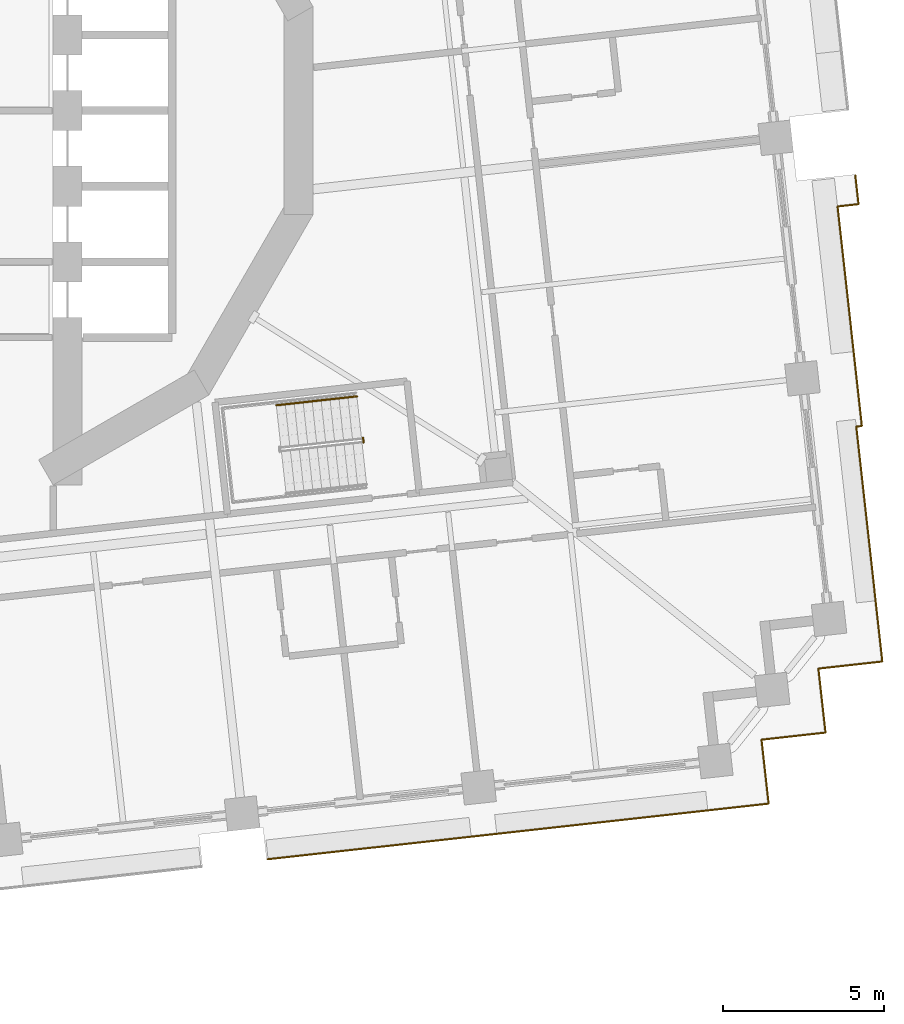
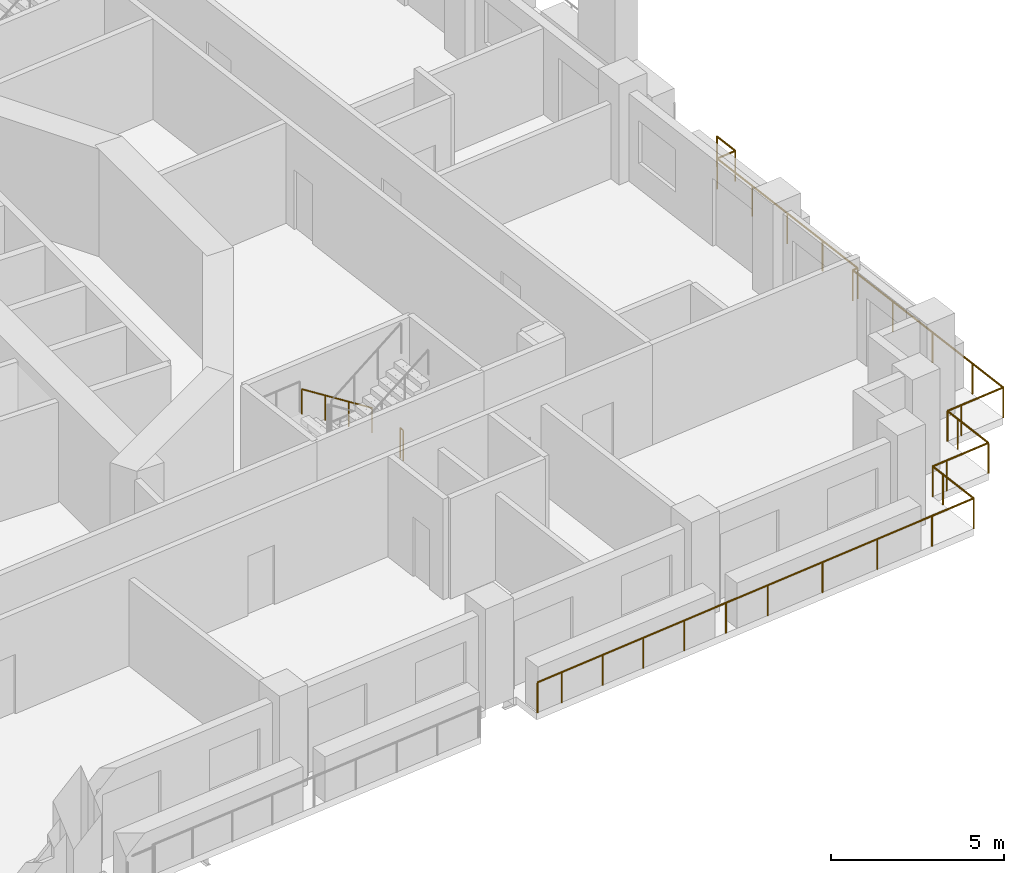
# One storey, part 17 of 21: 4 railings.
"""IFC4 building model written with IfcOpenShell, lengths in metres."""

from ifc_helpers import new_model, si_unit, direction, frame, origin, origin_2d, place, context, subcontext, project, spatial, circle, extrude, material, type_object, element, save


model = new_model("IFC4")

# Units and contexts
model_context = context("Model", 3, precision=1e-05, world=origin(), true_north=direction((0.0, 1.0)))
body_context = subcontext(model_context, "Body", "Model", "MODEL_VIEW")
ifc_project = project(units=[si_unit("LENGTHUNIT", "METRE"), si_unit("AREAUNIT", "SQUARE_METRE"), si_unit("VOLUMEUNIT", "CUBIC_METRE"), si_unit("PLANEANGLEUNIT", "RADIAN"), si_unit("MASSUNIT", "GRAM", prefix="KILO")], contexts=[model_context])

# Site, building, storey
site_placement = place(None, origin())
site = spatial("IfcSite", under=ifc_project, at=site_placement, CompositionType="ELEMENT")
building_placement = place(site_placement, origin())
building = spatial("IfcBuilding", under=site, at=building_placement, Name="Cantera Rosa Tower", CompositionType="ELEMENT")
storey_placement = place(building_placement, frame((0.0, 0.0, 57.699951171875)))
storey = spatial("IfcBuildingStorey", under=building, at=storey_placement, Name="L11", CompositionType="ELEMENT", Elevation=57.699951171875)

# Railings
ifc_material_1 = material(Name="Stainless steel and laminated glass", Category="steel")
railing_type_1 = type_object("IfcRailingType", Name="GUARD 1100", PredefinedType="BALUSTRADE", material=ifc_material_1)
railing_1_placement = place(storey_placement, frame((29.134765625, -9.801513671875, 0.0)))
element("IfcRailing", 1, at=railing_1_placement, inside=storey, type_object=railing_type_1, Name="GUARD L11-10", PredefinedType="BALUSTRADE", context=body_context, shape_type="SweptSolid", body=[
    extrude(circle(Radius=0.030029296875, at=origin_2d()), frame((0.0, 0.0, 1.070068359375), z_axis=(-0.993798690256, -0.11119425905, 0.0), x_axis=(0.11119425905, -0.993798690256, 0.0)), (0.0, 0.0, 1.0), 0.175537109375),
    extrude(circle(Radius=0.030029296875, at=origin_2d()), frame((-0.174560546875, -0.01953125, 1.070068359375), z_axis=(0.110284804511, -0.993900026106, 0.0), x_axis=(0.993900026106, 0.110284804511, 0.0)), (0.0, 0.0, 1.0), 5.84423828125),
    extrude(circle(Radius=0.030029296875, at=origin_2d()), frame((0.469970703125, -5.828125, 1.070068359375), z_axis=(0.110360064491, -0.993891672249, 0.0), x_axis=(0.993891672249, 0.110360064491, 0.0)), (0.0, 0.0, 1.0), 1.5),
    extrude(circle(Radius=0.030029296875, at=origin_2d()), frame((0.635498046875, -7.31884765625, 1.070068359375), z_axis=(-0.993891672249, -0.110360064491, 0.0), x_axis=(0.110360064491, -0.993891672249, 0.0)), (0.0, 0.0, 1.0), 1.5),
    extrude(circle(Radius=0.030029296875, at=origin_2d()), frame((-0.855224609375, -7.484375, 1.070068359375), z_axis=(-0.993895635261, -0.110324368158, 0.0), x_axis=(0.110324368158, -0.993895635261, 0.0)), (0.0, 0.0, 1.0), 0.500244140625),
    extrude(circle(Radius=0.030029296875, at=origin_2d()), frame((-1.352294921875, -7.53955078125, 1.070068359375), z_axis=(0.110324368158, -0.993895635261, 0.0), x_axis=(0.993895635261, 0.110324368158, 0.0)), (0.0, 0.0, 1.0), 0.500244140625),
    extrude(circle(Radius=0.030029296875, at=origin_2d()), frame((-1.297119140625, -8.03662109375, 1.070068359375), z_axis=(0.110360064491, -0.993891672249, 0.0), x_axis=(0.993891672249, 0.110360064491, 0.0)), (0.0, 0.0, 1.0), 1.5),
    extrude(circle(Radius=0.030029296875, at=origin_2d()), frame((-1.131591796875, -9.52734375, 1.070068359375), z_axis=(-0.993893654236, -0.110342213455, 0.0), x_axis=(0.110342213455, -0.993893654236, 0.0)), (0.0, 0.0, 1.0), 1.500244140625),
    extrude(circle(Radius=0.030029296875, at=origin_2d()), frame((-2.62255859375, -9.69287109375, 1.070068359375), z_axis=(-0.9938896893, -0.110377921269, 0.0), x_axis=(0.110377921269, -0.9938896893, 0.0)), (0.0, 0.0, 1.0), 0.5),
    extrude(circle(Radius=0.030029296875, at=origin_2d()), frame((-3.119384765625, -9.748046875, 1.070068359375), z_axis=(0.110377921269, -0.9938896893, 0.0), x_axis=(0.9938896893, 0.110377921269, 0.0)), (0.0, 0.0, 1.0), 0.5),
    extrude(circle(Radius=0.030029296875, at=origin_2d()), frame((-3.064208984375, -10.244873046875, 1.070068359375), z_axis=(0.110181444005, -0.99391148972, 0.0), x_axis=(0.99391148972, 0.110181444005, 0.0)), (0.0, 0.0, 1.0), 1.5),
    extrude(circle(Radius=0.030029296875, at=origin_2d()), frame((-2.89892578125, -11.73583984375, 1.070068359375), z_axis=(-0.993909513469, -0.110199269672, 0.0), x_axis=(0.110199269672, -0.993909513469, 0.0)), (0.0, 0.0, 1.0), 1.499755859375),
    extrude(circle(Radius=0.030029296875, at=origin_2d()), frame((-4.3896484375, -11.901123046875, 1.070068359375), z_axis=(-0.993896343916, -0.1103179838, 0.0), x_axis=(0.1103179838, -0.993896343916, 0.0)), (0.0, 0.0, 1.0), 5.900146484375),
    extrude(circle(Radius=0.030029296875, at=origin_2d()), frame((-10.253662109375, -12.552001953125, 1.070068359375), z_axis=(-0.993892663362, -0.110351138256, 0.0), x_axis=(0.110351138256, -0.993892663362, 0.0)), (0.0, 0.0, 1.0), 3.0),
    extrude(circle(Radius=0.030029296875, at=origin_2d()), frame((-13.2353515625, -12.883056640625, 1.070068359375), z_axis=(-0.993897260817, -0.110309722784, 0.0), x_axis=(0.110309722784, -0.993897260817, 0.0)), (0.0, 0.0, 1.0), 4.39990234375),
    extrude(circle(Radius=0.030029296875, at=origin_2d()), frame((-17.6083984375, -13.368408203125, 1.070068359375), z_axis=(-0.993900832769, -0.110277534522, 0.0), x_axis=(0.110277534522, -0.993900832769, 0.0)), (0.0, 0.0, 1.0), 0.8701171875),
    extrude(circle(Radius=0.02490234375, at=origin_2d()), origin(), (0.0, 0.0, 1.0), 1.0400390625),
    extrude(circle(Radius=0.02490234375, at=origin_2d()), frame((-0.174560546875, -0.01953125, 0.0)), (0.0, 0.0, 1.0), 1.0400390625),
    extrude(circle(Radius=0.02490234375, at=origin_2d()), frame((0.040283203125, -1.955810546875, 0.0)), (0.0, 0.0, 1.0), 1.0400390625),
    extrude(circle(Radius=0.02490234375, at=origin_2d()), frame((0.255126953125, -3.891845703125, 0.0)), (0.0, 0.0, 1.0), 1.0400390625),
    extrude(circle(Radius=0.02490234375, at=origin_2d()), frame((0.469970703125, -5.828125, 0.0)), (0.0, 0.0, 1.0), 1.0400390625),
    extrude(circle(Radius=0.02490234375, at=origin_2d()), frame((0.635498046875, -7.31884765625, 0.0)), (0.0, 0.0, 1.0), 1.0400390625),
    extrude(circle(Radius=0.02490234375, at=origin_2d()), frame((-0.855224609375, -7.484375, 0.0)), (0.0, 0.0, 1.0), 1.0400390625),
    extrude(circle(Radius=0.02490234375, at=origin_2d()), frame((-1.352294921875, -7.53955078125, 0.0)), (0.0, 0.0, 1.0), 1.0400390625),
    extrude(circle(Radius=0.02490234375, at=origin_2d()), frame((-1.297119140625, -8.03662109375, 0.0)), (0.0, 0.0, 1.0), 1.0400390625),
    extrude(circle(Radius=0.02490234375, at=origin_2d()), frame((-1.131591796875, -9.52734375, 0.0)), (0.0, 0.0, 1.0), 1.0400390625),
    extrude(circle(Radius=0.02490234375, at=origin_2d()), frame((-2.62255859375, -9.69287109375, 0.0)), (0.0, 0.0, 1.0), 1.0400390625),
    extrude(circle(Radius=0.02490234375, at=origin_2d()), frame((-3.119384765625, -9.748046875, 0.0)), (0.0, 0.0, 1.0), 1.0400390625),
    extrude(circle(Radius=0.02490234375, at=origin_2d()), frame((-3.064208984375, -10.244873046875, 0.0)), (0.0, 0.0, 1.0), 1.0400390625),
    extrude(circle(Radius=0.02490234375, at=origin_2d()), frame((-2.89892578125, -11.73583984375, 0.0)), (0.0, 0.0, 1.0), 1.0400390625),
    extrude(circle(Radius=0.02490234375, at=origin_2d()), frame((-4.3896484375, -11.901123046875, 0.0)), (0.0, 0.0, 1.0), 1.0400390625),
    extrude(circle(Radius=0.02490234375, at=origin_2d()), frame((-6.34423828125, -12.1181640625, 0.0)), (0.0, 0.0, 1.0), 1.0400390625),
    extrude(circle(Radius=0.02490234375, at=origin_2d()), frame((-8.299072265625, -12.3349609375, 0.0)), (0.0, 0.0, 1.0), 1.0400390625),
    extrude(circle(Radius=0.02490234375, at=origin_2d()), frame((-10.253662109375, -12.552001953125, 0.0)), (0.0, 0.0, 1.0), 1.0400390625),
    extrude(circle(Radius=0.02490234375, at=origin_2d()), frame((-11.74462890625, -12.717529296875, 0.0)), (0.0, 0.0, 1.0), 1.0400390625),
    extrude(circle(Radius=0.02490234375, at=origin_2d()), frame((-13.2353515625, -12.883056640625, 0.0)), (0.0, 0.0, 1.0), 1.0400390625),
    extrude(circle(Radius=0.02490234375, at=origin_2d()), frame((-14.693115234375, -13.044921875, 0.0)), (0.0, 0.0, 1.0), 1.0400390625),
    extrude(circle(Radius=0.02490234375, at=origin_2d()), frame((-16.150634765625, -13.20654296875, 0.0)), (0.0, 0.0, 1.0), 1.0400390625),
    extrude(circle(Radius=0.02490234375, at=origin_2d()), frame((-17.6083984375, -13.368408203125, 0.0)), (0.0, 0.0, 1.0), 1.0400390625),
    extrude(circle(Radius=0.02490234375, at=origin_2d()), frame((-18.47314453125, -13.46435546875, 0.0)), (0.0, 0.0, 1.0), 1.0400390625),
])
railing_2_placement = place(storey_placement, frame((28.92919921875, -2.010986328125, 0.0)))
element("IfcRailing", 2, at=railing_2_placement, inside=storey, type_object=railing_type_1, Name="GUARD L11-11", PredefinedType="BALUSTRADE", context=body_context, shape_type="SweptSolid", body=[
    extrude(circle(Radius=0.030029296875, at=origin_2d()), frame((0.0, 0.0, 1.070068359375), z_axis=(0.110550482044, -0.993870510137, 0.0), x_axis=(0.993870510137, 0.110550482044, 0.0)), (0.0, 0.0, 1.0), 0.901123046875),
    extrude(circle(Radius=0.030029296875, at=origin_2d()), frame((0.099609375, -0.8955078125, 1.070068359375), z_axis=(-0.993901893263, -0.110267976164, 0.0), x_axis=(0.110267976164, -0.993901893263, 0.0)), (0.0, 0.0, 1.0), 0.6552734375),
    extrude(circle(Radius=0.030029296875, at=origin_2d()), frame((-0.5517578125, -0.9677734375, 1.070068359375), z_axis=(0.110322228488, -0.993895872766, 0.0), x_axis=(0.993895872766, 0.110322228488, 0.0)), (0.0, 0.0, 1.0), 6.86474609375),
    extrude(circle(Radius=0.02490234375, at=origin_2d()), origin(), (0.0, 0.0, 1.0), 1.0400390625),
    extrude(circle(Radius=0.02490234375, at=origin_2d()), frame((0.099609375, -0.8955078125, 0.0)), (0.0, 0.0, 1.0), 1.0400390625),
    extrude(circle(Radius=0.02490234375, at=origin_2d()), frame((-0.5517578125, -0.9677734375, 0.0)), (0.0, 0.0, 1.0), 1.0400390625),
    extrude(circle(Radius=0.02490234375, at=origin_2d()), frame((-0.3623046875, -2.67333984375, 0.0)), (0.0, 0.0, 1.0), 1.0400390625),
    extrude(circle(Radius=0.02490234375, at=origin_2d()), frame((-0.173095703125, -4.379150390625, 0.0)), (0.0, 0.0, 1.0), 1.0400390625),
    extrude(circle(Radius=0.02490234375, at=origin_2d()), frame((0.01611328125, -6.0849609375, 0.0)), (0.0, 0.0, 1.0), 1.0400390625),
    extrude(circle(Radius=0.02490234375, at=origin_2d()), frame((0.20556640625, -7.79052734375, 0.0)), (0.0, 0.0, 1.0), 1.0400390625),
])
ifc_material_2 = material(Name="Steel S355J2 (EN 10025-2)", Category="steel")
railing_type_2 = type_object("IfcRailingType", Name="STAIR GUARD 1100", PredefinedType="GUARDRAIL", material=ifc_material_2)
railing_3_placement = place(storey_placement, frame((13.6328125, -10.16552734375, 0.0)))
element("IfcRailing", 3, at=railing_3_placement, inside=storey, type_object=railing_type_2, Name="L11 ST-14 stair guard 3", PredefinedType="GUARDRAIL", context=body_context, shape_type="SweptSolid", body=[
    extrude(circle(Radius=0.02392578125, at=origin_2d()), frame((0.0, 0.0, 1.076171875), z_axis=(0.110610055588, -0.993863881828, 0.0), x_axis=(0.993863881828, 0.110610055588, 0.0)), (0.0, 0.0, 1.0), 0.150146484375),
    extrude(circle(Radius=0.02099609375, at=origin_2d()), origin(), (0.0, 0.0, 1.0), 1.052001953125),
    extrude(circle(Radius=0.02099609375, at=origin_2d()), frame((0.0166015625, -0.149169921875, 0.0)), (0.0, 0.0, 1.0), 1.052001953125),
])
ifc_material_3 = material(Name="Steel S355J2 (EN 10025-2)", Category="steel")
railing_type_3 = type_object("IfcRailingType", Name="STAIR HANDRAIL 900", PredefinedType="HANDRAIL", material=ifc_material_3)
railing_4_placement = place(storey_placement, frame((13.439697265625, -8.87890625, 0.18994140625)))
element("IfcRailing", 4, at=railing_4_placement, inside=storey, type_object=railing_type_3, Name="L11 ST-14 stair handrail 1", PredefinedType="HANDRAIL", context=body_context, shape_type="SweptSolid", body=[
    extrude(circle(Radius=0.02392578125, at=origin_2d()), frame((0.0, 0.0, 0.8759765625), z_axis=(-0.822394317572, -0.091305890215, 0.561543249302), x_axis=(0.110346460196, -0.993893182753, 0.0)), (0.0, 0.0, 1.0), 3.045654296875),
    extrude(circle(Radius=0.02099609375, at=origin_2d()), origin(), (0.0, 0.0, 1.0), 0.851806640625),
    extrude(circle(Radius=0.02099609375, at=origin_2d()), frame((-0.8349609375, -0.0927734375, 0.570068359375)), (0.0, 0.0, 1.0), 0.851806640625),
    extrude(circle(Radius=0.02099609375, at=origin_2d()), frame((-1.669677734375, -0.185302734375, 1.14013671875)), (0.0, 0.0, 1.0), 0.851806640625),
    extrude(circle(Radius=0.02099609375, at=origin_2d()), frame((-2.504638671875, -0.278076171875, 1.710205078125)), (0.0, 0.0, 1.0), 0.851806640625),
])

save(model, "model.ifc")
